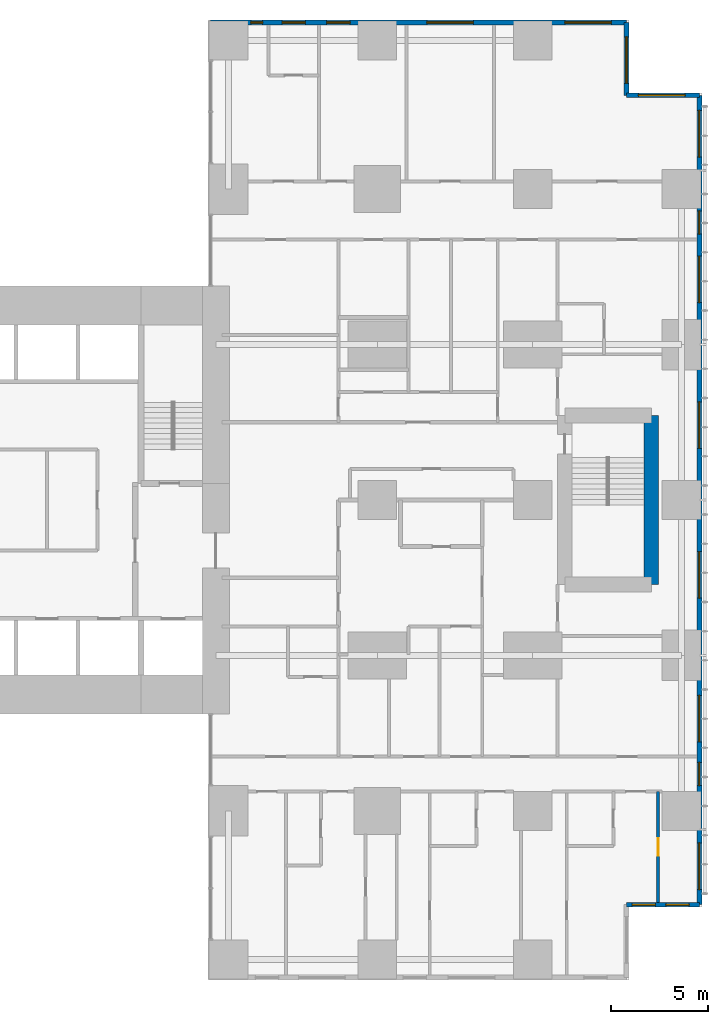
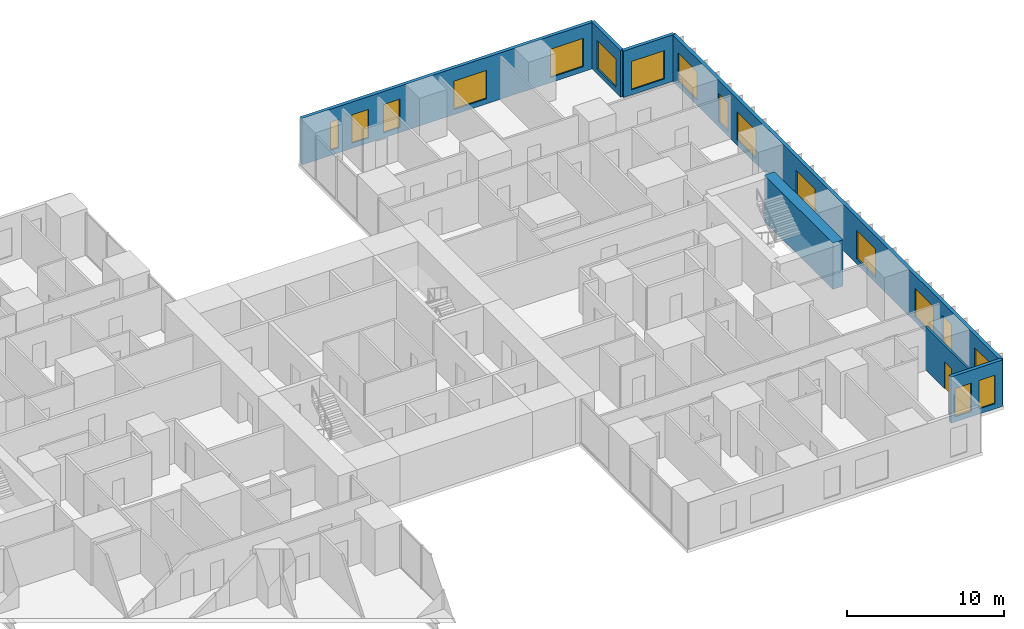
# One storey, part 19 of 21: 17 windows, 7 walls, 1 door, 18 openings.
"""IFC4 building model written with IfcOpenShell, lengths in metres."""

from ifc_helpers import new_model, si_unit, direction, frame, frame_2d, origin, place, context, subcontext, project, spatial, rectangle, extrude, material, layer, layer_set, type_object, element, fill, save


model = new_model("IFC4")

# Units and contexts
model_context = context("Model", 3, precision=1e-05, world=origin(), true_north=direction((0.0, 1.0)))
body_context = subcontext(model_context, "Body", "Model", "MODEL_VIEW")
ifc_project = project(units=[si_unit("LENGTHUNIT", "METRE"), si_unit("AREAUNIT", "SQUARE_METRE"), si_unit("VOLUMEUNIT", "CUBIC_METRE"), si_unit("PLANEANGLEUNIT", "RADIAN"), si_unit("MASSUNIT", "GRAM", prefix="KILO")], contexts=[model_context])

# Site, building, storey
site_placement = place(None, origin())
site = spatial("IfcSite", under=ifc_project, at=site_placement, CompositionType="ELEMENT")
building_placement = place(site_placement, origin())
building = spatial("IfcBuilding", under=site, at=building_placement, Name="Cleftline Residences", CompositionType="ELEMENT")
storey_placement = place(building_placement, frame((0.0, 0.0, 125.0)))
storey = spatial("IfcBuildingStorey", under=building, at=storey_placement, Name="L32", CompositionType="ELEMENT", Elevation=125.0)

# Wall, openings, windows
ifc_material_1 = material(Name="Rendered reinforced concrete blockwork", Category="masonry")
ifc_layer_1 = layer(ifc_material_1, 0.25)
ifc_layer_set_1 = layer_set([ifc_layer_1], Name="EXTERNAL WALL 250")
wall_type_1 = type_object("IfcWallType", Name="EXTERNAL WALL 250", PredefinedType="SOLIDWALL", material=ifc_layer_set_1)
wall_1_placement = place(storey_placement, frame((62.824951171875, 3.175048828125, 0.0), z_axis=(0.0, 0.0, 1.0), x_axis=(1.0, 0.0, 0.0)))
wall_1 = element("IfcWall", 1, at=wall_1_placement, inside=storey, type_object=wall_type_1, Name="External wall", PredefinedType="SOLIDWALL", context=body_context, shape_type="SweptSolid", body=[
    extrude(rectangle(XDim=3.75, YDim=0.25, at=frame_2d((1.875, 0.0))), origin(), (0.0, 0.0, 1.0), 3.60009765625),
])
opening_1_placement = place(wall_1_placement, frame((0.28759765625, 0.0, 0.39990234375)))
opening_1 = element("IfcOpeningElement", 2, at=opening_1_placement, cuts=wall_1, Name="Opening W11", PredefinedType="OPENING", context=body_context, shape_type="SweptSolid", body=[
    extrude(rectangle(XDim=1.199951171875, YDim=2.199951171875, at=frame_2d((0.60009765625, 1.10009765625))), frame((0.0, 0.135009765625, 0.0), z_axis=(0.0, -1.0, 0.0), x_axis=(1.0, 0.0, 0.0)), (0.0, 0.0, 1.0), 0.27001953125),
])
opening_2_placement = place(wall_1_placement, frame((2.02490234375, 0.0, 0.39990234375)))
opening_2 = element("IfcOpeningElement", 3, at=opening_2_placement, cuts=wall_1, Name="Opening W11", PredefinedType="OPENING", context=body_context, shape_type="SweptSolid", body=[
    extrude(rectangle(XDim=1.199951171875, YDim=2.199951171875, at=frame_2d((0.60009765625, 1.10009765625))), frame((0.0, 0.135009765625, 0.0), z_axis=(0.0, -1.0, 0.0), x_axis=(1.0, 0.0, 0.0)), (0.0, 0.0, 1.0), 0.27001953125),
])
ifc_material_2 = material(Name="Aluminium frame, clear double glazing", Category="aluminium")
window_type_1 = type_object("IfcWindowType", Name="WINDOW 1200X2200", PartitioningType="DOUBLE_PANEL_VERTICAL", PredefinedType="WINDOW", material=ifc_material_2)
window_1_placement = place(opening_1_placement, origin())
window_1 = element("IfcWindow", 4, at=window_1_placement, inside=storey, type_object=window_type_1, Name="Window", OverallHeight=2.199951171875, OverallWidth=1.199951171875, PartitioningType="SINGLE_PANEL", PredefinedType="WINDOW", context=body_context, shape_type="SweptSolid", body=[
    extrude(rectangle(XDim=1.199951171875, YDim=2.199951171875, at=frame_2d((0.60009765625, 1.10009765625))), frame((0.0, 0.030029296875, 0.0), z_axis=(0.0, -1.0, 0.0), x_axis=(1.0, 0.0, 0.0)), (0.0, 0.0, 1.0), 0.06005859375),
])
fill(opening_1, window_1)
window_2_placement = place(opening_2_placement, origin())
window_2 = element("IfcWindow", 5, at=window_2_placement, inside=storey, type_object=window_type_1, Name="Window", OverallHeight=2.199951171875, OverallWidth=1.199951171875, PartitioningType="SINGLE_PANEL", PredefinedType="WINDOW", context=body_context, shape_type="SweptSolid", body=[
    extrude(rectangle(XDim=1.199951171875, YDim=2.199951171875, at=frame_2d((0.60009765625, 1.10009765625))), frame((0.0, 0.030029296875, 0.0), z_axis=(0.0, -1.0, 0.0), x_axis=(1.0, 0.0, 0.0)), (0.0, 0.0, 1.0), 0.06005859375),
])
fill(opening_2, window_2)

wall_2_placement = place(storey_placement, frame((66.574951171875, 3.175048828125, 0.0), z_axis=(0.0, 0.0, 1.0), x_axis=(0.0, 1.0, 0.0)))
wall_2 = element("IfcWall", 6, at=wall_2_placement, inside=storey, type_object=wall_type_1, Name="External wall", PredefinedType="SOLIDWALL", context=body_context, shape_type="SweptSolid", body=[
    extrude(rectangle(XDim=41.64990234375, YDim=0.25, at=frame_2d((20.824951171875, 0.0))), origin(), (0.0, 0.0, 1.0), 3.60009765625),
])
opening_3_placement = place(wall_2_placement, frame((0.77490234375, 0.0, 0.39990234375)))
opening_3 = element("IfcOpeningElement", 7, at=opening_3_placement, cuts=wall_2, Name="Opening W12", PredefinedType="OPENING", context=body_context, shape_type="SweptSolid", body=[
    extrude(rectangle(XDim=2.39990234375, YDim=2.199951171875, at=frame_2d((1.199951171875, 1.10009765625))), frame((0.0, 0.135009765625, 0.0), z_axis=(0.0, -1.0, 0.0), x_axis=(1.0, 0.0, 0.0)), (0.0, 0.0, 1.0), 0.27001953125),
])
opening_4_placement = place(wall_2_placement, frame((6.125, 0.0, 0.39990234375)))
opening_4 = element("IfcOpeningElement", 8, at=opening_4_placement, cuts=wall_2, Name="Opening W11", PredefinedType="OPENING", context=body_context, shape_type="SweptSolid", body=[
    extrude(rectangle(XDim=1.199951171875, YDim=2.199951171875, at=frame_2d((0.60009765625, 1.10009765625))), frame((0.0, 0.135009765625, 0.0), z_axis=(0.0, -1.0, 0.0), x_axis=(1.0, 0.0, 0.0)), (0.0, 0.0, 1.0), 0.27001953125),
])
opening_5_placement = place(wall_2_placement, frame((8.375, 0.0, 0.39990234375)))
opening_5 = element("IfcOpeningElement", 9, at=opening_5_placement, cuts=wall_2, Name="Opening W12", PredefinedType="OPENING", context=body_context, shape_type="SweptSolid", body=[
    extrude(rectangle(XDim=2.39990234375, YDim=2.199951171875, at=frame_2d((1.199951171875, 1.10009765625))), frame((0.0, 0.135009765625, 0.0), z_axis=(0.0, -1.0, 0.0), x_axis=(1.0, 0.0, 0.0)), (0.0, 0.0, 1.0), 0.27001953125),
])
opening_6_placement = place(wall_2_placement, frame((15.77490234375, 0.0, 0.39990234375)))
opening_6 = element("IfcOpeningElement", 10, at=opening_6_placement, cuts=wall_2, Name="Opening W12", PredefinedType="OPENING", context=body_context, shape_type="SweptSolid", body=[
    extrude(rectangle(XDim=2.39990234375, YDim=2.199951171875, at=frame_2d((1.199951171875, 1.10009765625))), frame((0.0, 0.135009765625, 0.0), z_axis=(0.0, -1.0, 0.0), x_axis=(1.0, 0.0, 0.0)), (0.0, 0.0, 1.0), 0.27001953125),
])
opening_7_placement = place(wall_2_placement, frame((23.47509765625, 0.0, 0.39990234375)))
opening_7 = element("IfcOpeningElement", 11, at=opening_7_placement, cuts=wall_2, Name="Opening W12", PredefinedType="OPENING", context=body_context, shape_type="SweptSolid", body=[
    extrude(rectangle(XDim=2.39990234375, YDim=2.199951171875, at=frame_2d((1.199951171875, 1.10009765625))), frame((0.0, 0.135009765625, 0.0), z_axis=(0.0, -1.0, 0.0), x_axis=(1.0, 0.0, 0.0)), (0.0, 0.0, 1.0), 0.27001953125),
])
opening_8_placement = place(wall_2_placement, frame((30.97509765625, 0.0, 0.39990234375)))
opening_8 = element("IfcOpeningElement", 12, at=opening_8_placement, cuts=wall_2, Name="Opening W12", PredefinedType="OPENING", context=body_context, shape_type="SweptSolid", body=[
    extrude(rectangle(XDim=2.39990234375, YDim=2.199951171875, at=frame_2d((1.199951171875, 1.10009765625))), frame((0.0, 0.135009765625, 0.0), z_axis=(0.0, -1.0, 0.0), x_axis=(1.0, 0.0, 0.0)), (0.0, 0.0, 1.0), 0.27001953125),
])
opening_9_placement = place(wall_2_placement, frame((34.5, 0.0, 0.39990234375)))
opening_9 = element("IfcOpeningElement", 13, at=opening_9_placement, cuts=wall_2, Name="Opening W11", PredefinedType="OPENING", context=body_context, shape_type="SweptSolid", body=[
    extrude(rectangle(XDim=1.199951171875, YDim=2.199951171875, at=frame_2d((0.60009765625, 1.10009765625))), frame((0.0, 0.135009765625, 0.0), z_axis=(0.0, -1.0, 0.0), x_axis=(1.0, 0.0, 0.0)), (0.0, 0.0, 1.0), 0.27001953125),
])
opening_10_placement = place(wall_2_placement, frame((38.47509765625, 0.0, 0.39990234375)))
opening_10 = element("IfcOpeningElement", 14, at=opening_10_placement, cuts=wall_2, Name="Opening W12", PredefinedType="OPENING", context=body_context, shape_type="SweptSolid", body=[
    extrude(rectangle(XDim=2.39990234375, YDim=2.199951171875, at=frame_2d((1.199951171875, 1.10009765625))), frame((0.0, 0.135009765625, 0.0), z_axis=(0.0, -1.0, 0.0), x_axis=(1.0, 0.0, 0.0)), (0.0, 0.0, 1.0), 0.27001953125),
])
window_3_placement = place(opening_4_placement, origin())
window_3 = element("IfcWindow", 15, at=window_3_placement, inside=storey, type_object=window_type_1, Name="Window", OverallHeight=2.199951171875, OverallWidth=1.199951171875, PartitioningType="SINGLE_PANEL", PredefinedType="WINDOW", context=body_context, shape_type="SweptSolid", body=[
    extrude(rectangle(XDim=1.199951171875, YDim=2.199951171875, at=frame_2d((0.60009765625, 1.10009765625))), frame((0.0, 0.030029296875, 0.0), z_axis=(0.0, -1.0, 0.0), x_axis=(1.0, 0.0, 0.0)), (0.0, 0.0, 1.0), 0.06005859375),
])
fill(opening_4, window_3)
window_4_placement = place(opening_9_placement, origin())
window_4 = element("IfcWindow", 16, at=window_4_placement, inside=storey, type_object=window_type_1, Name="Window", OverallHeight=2.199951171875, OverallWidth=1.199951171875, PartitioningType="SINGLE_PANEL", PredefinedType="WINDOW", context=body_context, shape_type="SweptSolid", body=[
    extrude(rectangle(XDim=1.199951171875, YDim=2.199951171875, at=frame_2d((0.60009765625, 1.10009765625))), frame((0.0, 0.030029296875, 0.0), z_axis=(0.0, -1.0, 0.0), x_axis=(1.0, 0.0, 0.0)), (0.0, 0.0, 1.0), 0.06005859375),
])
fill(opening_9, window_4)
ifc_material_3 = material(Name="Aluminium frame, clear double glazing", Category="aluminium")
window_type_2 = type_object("IfcWindowType", Name="WINDOW 2400X2200", PartitioningType="DOUBLE_PANEL_VERTICAL", PredefinedType="WINDOW", material=ifc_material_3)
window_5_placement = place(opening_3_placement, origin())
window_5 = element("IfcWindow", 17, at=window_5_placement, inside=storey, type_object=window_type_2, Name="Window", OverallHeight=2.199951171875, OverallWidth=2.39990234375, PartitioningType="SINGLE_PANEL", PredefinedType="WINDOW", context=body_context, shape_type="SweptSolid", body=[
    extrude(rectangle(XDim=2.39990234375, YDim=2.199951171875, at=frame_2d((1.199951171875, 1.10009765625))), frame((0.0, 0.030029296875, 0.0), z_axis=(0.0, -1.0, 0.0), x_axis=(1.0, 0.0, 0.0)), (0.0, 0.0, 1.0), 0.06005859375),
])
fill(opening_3, window_5)
window_6_placement = place(opening_5_placement, origin())
window_6 = element("IfcWindow", 18, at=window_6_placement, inside=storey, type_object=window_type_2, Name="Window", OverallHeight=2.199951171875, OverallWidth=2.39990234375, PartitioningType="SINGLE_PANEL", PredefinedType="WINDOW", context=body_context, shape_type="SweptSolid", body=[
    extrude(rectangle(XDim=2.39990234375, YDim=2.199951171875, at=frame_2d((1.199951171875, 1.10009765625))), frame((0.0, 0.030029296875, 0.0), z_axis=(0.0, -1.0, 0.0), x_axis=(1.0, 0.0, 0.0)), (0.0, 0.0, 1.0), 0.06005859375),
])
fill(opening_5, window_6)
window_7_placement = place(opening_6_placement, origin())
window_7 = element("IfcWindow", 19, at=window_7_placement, inside=storey, type_object=window_type_2, Name="Window", OverallHeight=2.199951171875, OverallWidth=2.39990234375, PartitioningType="SINGLE_PANEL", PredefinedType="WINDOW", context=body_context, shape_type="SweptSolid", body=[
    extrude(rectangle(XDim=2.39990234375, YDim=2.199951171875, at=frame_2d((1.199951171875, 1.10009765625))), frame((0.0, 0.030029296875, 0.0), z_axis=(0.0, -1.0, 0.0), x_axis=(1.0, 0.0, 0.0)), (0.0, 0.0, 1.0), 0.06005859375),
])
fill(opening_6, window_7)
window_8_placement = place(opening_7_placement, origin())
window_8 = element("IfcWindow", 20, at=window_8_placement, inside=storey, type_object=window_type_2, Name="Window", OverallHeight=2.199951171875, OverallWidth=2.39990234375, PartitioningType="SINGLE_PANEL", PredefinedType="WINDOW", context=body_context, shape_type="SweptSolid", body=[
    extrude(rectangle(XDim=2.39990234375, YDim=2.199951171875, at=frame_2d((1.199951171875, 1.10009765625))), frame((0.0, 0.030029296875, 0.0), z_axis=(0.0, -1.0, 0.0), x_axis=(1.0, 0.0, 0.0)), (0.0, 0.0, 1.0), 0.06005859375),
])
fill(opening_7, window_8)
window_9_placement = place(opening_8_placement, origin())
window_9 = element("IfcWindow", 21, at=window_9_placement, inside=storey, type_object=window_type_2, Name="Window", OverallHeight=2.199951171875, OverallWidth=2.39990234375, PartitioningType="SINGLE_PANEL", PredefinedType="WINDOW", context=body_context, shape_type="SweptSolid", body=[
    extrude(rectangle(XDim=2.39990234375, YDim=2.199951171875, at=frame_2d((1.199951171875, 1.10009765625))), frame((0.0, 0.030029296875, 0.0), z_axis=(0.0, -1.0, 0.0), x_axis=(1.0, 0.0, 0.0)), (0.0, 0.0, 1.0), 0.06005859375),
])
fill(opening_8, window_9)
window_10_placement = place(opening_10_placement, origin())
window_10 = element("IfcWindow", 22, at=window_10_placement, inside=storey, type_object=window_type_2, Name="Window", OverallHeight=2.199951171875, OverallWidth=2.39990234375, PartitioningType="SINGLE_PANEL", PredefinedType="WINDOW", context=body_context, shape_type="SweptSolid", body=[
    extrude(rectangle(XDim=2.39990234375, YDim=2.199951171875, at=frame_2d((1.199951171875, 1.10009765625))), frame((0.0, 0.030029296875, 0.0), z_axis=(0.0, -1.0, 0.0), x_axis=(1.0, 0.0, 0.0)), (0.0, 0.0, 1.0), 0.06005859375),
])
fill(opening_10, window_10)

# Wall, opening, window
wall_3_placement = place(storey_placement, frame((66.574951171875, 44.824951171875, 0.0), z_axis=(0.0, 0.0, 1.0), x_axis=(-1.0, 0.0, 0.0)))
wall_3 = element("IfcWall", 23, at=wall_3_placement, inside=storey, type_object=wall_type_1, Name="External wall", PredefinedType="SOLIDWALL", context=body_context, shape_type="SweptSolid", body=[
    extrude(rectangle(XDim=3.75, YDim=0.25, at=frame_2d((1.875, 0.0))), origin(), (0.0, 0.0, 1.0), 3.60009765625),
])
opening_11_placement = place(wall_3_placement, frame((0.737548828125, 0.0, 0.39990234375)))
opening_11 = element("IfcOpeningElement", 24, at=opening_11_placement, cuts=wall_3, Name="Opening W12", PredefinedType="OPENING", context=body_context, shape_type="SweptSolid", body=[
    extrude(rectangle(XDim=2.39990234375, YDim=2.199951171875, at=frame_2d((1.199951171875, 1.10009765625))), frame((0.0, 0.135009765625, 0.0), z_axis=(0.0, -1.0, 0.0), x_axis=(1.0, 0.0, 0.0)), (0.0, 0.0, 1.0), 0.27001953125),
])
window_11_placement = place(opening_11_placement, origin())
window_11 = element("IfcWindow", 25, at=window_11_placement, inside=storey, type_object=window_type_2, Name="Window", OverallHeight=2.199951171875, OverallWidth=2.39990234375, PartitioningType="SINGLE_PANEL", PredefinedType="WINDOW", context=body_context, shape_type="SweptSolid", body=[
    extrude(rectangle(XDim=2.39990234375, YDim=2.199951171875, at=frame_2d((1.199951171875, 1.10009765625))), frame((0.0, 0.030029296875, 0.0), z_axis=(0.0, -1.0, 0.0), x_axis=(1.0, 0.0, 0.0)), (0.0, 0.0, 1.0), 0.06005859375),
])
fill(opening_11, window_11)

wall_4_placement = place(storey_placement, frame((62.824951171875, 44.824951171875, 0.0), z_axis=(0.0, 0.0, 1.0), x_axis=(0.0, 1.0, 0.0)))
wall_4 = element("IfcWall", 26, at=wall_4_placement, inside=storey, type_object=wall_type_1, Name="External wall", PredefinedType="SOLIDWALL", context=body_context, shape_type="SweptSolid", body=[
    extrude(rectangle(XDim=3.75, YDim=0.25, at=frame_2d((1.875, 0.0))), origin(), (0.0, 0.0, 1.0), 3.60009765625),
])
opening_12_placement = place(wall_4_placement, frame((0.612548828125, 0.0, 0.39990234375)))
opening_12 = element("IfcOpeningElement", 27, at=opening_12_placement, cuts=wall_4, Name="Opening W12", PredefinedType="OPENING", context=body_context, shape_type="SweptSolid", body=[
    extrude(rectangle(XDim=2.39990234375, YDim=2.199951171875, at=frame_2d((1.199951171875, 1.10009765625))), frame((0.0, 0.135009765625, 0.0), z_axis=(0.0, -1.0, 0.0), x_axis=(1.0, 0.0, 0.0)), (0.0, 0.0, 1.0), 0.27001953125),
])
window_12_placement = place(opening_12_placement, origin())
window_12 = element("IfcWindow", 28, at=window_12_placement, inside=storey, type_object=window_type_2, Name="Window", OverallHeight=2.199951171875, OverallWidth=2.39990234375, PartitioningType="SINGLE_PANEL", PredefinedType="WINDOW", context=body_context, shape_type="SweptSolid", body=[
    extrude(rectangle(XDim=2.39990234375, YDim=2.199951171875, at=frame_2d((1.199951171875, 1.10009765625))), frame((0.0, 0.030029296875, 0.0), z_axis=(0.0, -1.0, 0.0), x_axis=(1.0, 0.0, 0.0)), (0.0, 0.0, 1.0), 0.06005859375),
])
fill(opening_12, window_12)

# Wall, openings, windows
wall_5_placement = place(storey_placement, frame((62.824951171875, 48.574951171875, 0.0), z_axis=(0.0, 0.0, 1.0), x_axis=(-1.0, 0.0, 0.0)))
wall_5 = element("IfcWall", 29, at=wall_5_placement, inside=storey, type_object=wall_type_1, Name="External wall", PredefinedType="SOLIDWALL", context=body_context, shape_type="SweptSolid", body=[
    extrude(rectangle(XDim=21.39990234375, YDim=0.25, at=frame_2d((10.699951171875, 0.0))), origin(), (0.0, 0.0, 1.0), 3.60009765625),
])
opening_13_placement = place(wall_5_placement, frame((0.77490234375, 0.0, 0.39990234375)))
opening_13 = element("IfcOpeningElement", 30, at=opening_13_placement, cuts=wall_5, Name="Opening W12", PredefinedType="OPENING", context=body_context, shape_type="SweptSolid", body=[
    extrude(rectangle(XDim=2.39990234375, YDim=2.199951171875, at=frame_2d((1.199951171875, 1.10009765625))), frame((0.0, 0.135009765625, 0.0), z_axis=(0.0, -1.0, 0.0), x_axis=(1.0, 0.0, 0.0)), (0.0, 0.0, 1.0), 0.27001953125),
])
opening_14_placement = place(wall_5_placement, frame((7.875, 0.0, 0.39990234375)))
opening_14 = element("IfcOpeningElement", 31, at=opening_14_placement, cuts=wall_5, Name="Opening W12", PredefinedType="OPENING", context=body_context, shape_type="SweptSolid", body=[
    extrude(rectangle(XDim=2.39990234375, YDim=2.199951171875, at=frame_2d((1.199951171875, 1.10009765625))), frame((0.0, 0.135009765625, 0.0), z_axis=(0.0, -1.0, 0.0), x_axis=(1.0, 0.0, 0.0)), (0.0, 0.0, 1.0), 0.27001953125),
])
opening_15_placement = place(wall_5_placement, frame((14.22509765625, 0.0, 0.39990234375)))
opening_15 = element("IfcOpeningElement", 32, at=opening_15_placement, cuts=wall_5, Name="Opening W11", PredefinedType="OPENING", context=body_context, shape_type="SweptSolid", body=[
    extrude(rectangle(XDim=1.199951171875, YDim=2.199951171875, at=frame_2d((0.60009765625, 1.10009765625))), frame((0.0, 0.135009765625, 0.0), z_axis=(0.0, -1.0, 0.0), x_axis=(1.0, 0.0, 0.0)), (0.0, 0.0, 1.0), 0.27001953125),
])
opening_16_placement = place(wall_5_placement, frame((16.52490234375, 0.0, 0.39990234375)))
opening_16 = element("IfcOpeningElement", 33, at=opening_16_placement, cuts=wall_5, Name="Opening W11", PredefinedType="OPENING", context=body_context, shape_type="SweptSolid", body=[
    extrude(rectangle(XDim=1.199951171875, YDim=2.199951171875, at=frame_2d((0.60009765625, 1.10009765625))), frame((0.0, 0.135009765625, 0.0), z_axis=(0.0, -1.0, 0.0), x_axis=(1.0, 0.0, 0.0)), (0.0, 0.0, 1.0), 0.27001953125),
])
opening_17_placement = place(wall_5_placement, frame((18.72509765625, 0.0, 0.39990234375)))
opening_17 = element("IfcOpeningElement", 34, at=opening_17_placement, cuts=wall_5, Name="Opening W10", PredefinedType="OPENING", context=body_context, shape_type="SweptSolid", body=[
    extrude(rectangle(XDim=0.60009765625, YDim=2.199951171875, at=frame_2d((0.300048828125, 1.10009765625))), frame((0.0, 0.135009765625, 0.0), z_axis=(0.0, -1.0, 0.0), x_axis=(1.0, 0.0, 0.0)), (0.0, 0.0, 1.0), 0.27001953125),
])
window_13_placement = place(opening_15_placement, origin())
window_13 = element("IfcWindow", 35, at=window_13_placement, inside=storey, type_object=window_type_1, Name="Window", OverallHeight=2.199951171875, OverallWidth=1.199951171875, PartitioningType="SINGLE_PANEL", PredefinedType="WINDOW", context=body_context, shape_type="SweptSolid", body=[
    extrude(rectangle(XDim=1.199951171875, YDim=2.199951171875, at=frame_2d((0.60009765625, 1.10009765625))), frame((0.0, 0.030029296875, 0.0), z_axis=(0.0, -1.0, 0.0), x_axis=(1.0, 0.0, 0.0)), (0.0, 0.0, 1.0), 0.06005859375),
])
fill(opening_15, window_13)
window_14_placement = place(opening_16_placement, origin())
window_14 = element("IfcWindow", 36, at=window_14_placement, inside=storey, type_object=window_type_1, Name="Window", OverallHeight=2.199951171875, OverallWidth=1.199951171875, PartitioningType="SINGLE_PANEL", PredefinedType="WINDOW", context=body_context, shape_type="SweptSolid", body=[
    extrude(rectangle(XDim=1.199951171875, YDim=2.199951171875, at=frame_2d((0.60009765625, 1.10009765625))), frame((0.0, 0.030029296875, 0.0), z_axis=(0.0, -1.0, 0.0), x_axis=(1.0, 0.0, 0.0)), (0.0, 0.0, 1.0), 0.06005859375),
])
fill(opening_16, window_14)
window_15_placement = place(opening_13_placement, origin())
window_15 = element("IfcWindow", 37, at=window_15_placement, inside=storey, type_object=window_type_2, Name="Window", OverallHeight=2.199951171875, OverallWidth=2.39990234375, PartitioningType="SINGLE_PANEL", PredefinedType="WINDOW", context=body_context, shape_type="SweptSolid", body=[
    extrude(rectangle(XDim=2.39990234375, YDim=2.199951171875, at=frame_2d((1.199951171875, 1.10009765625))), frame((0.0, 0.030029296875, 0.0), z_axis=(0.0, -1.0, 0.0), x_axis=(1.0, 0.0, 0.0)), (0.0, 0.0, 1.0), 0.06005859375),
])
fill(opening_13, window_15)
window_16_placement = place(opening_14_placement, origin())
window_16 = element("IfcWindow", 38, at=window_16_placement, inside=storey, type_object=window_type_2, Name="Window", OverallHeight=2.199951171875, OverallWidth=2.39990234375, PartitioningType="SINGLE_PANEL", PredefinedType="WINDOW", context=body_context, shape_type="SweptSolid", body=[
    extrude(rectangle(XDim=2.39990234375, YDim=2.199951171875, at=frame_2d((1.199951171875, 1.10009765625))), frame((0.0, 0.030029296875, 0.0), z_axis=(0.0, -1.0, 0.0), x_axis=(1.0, 0.0, 0.0)), (0.0, 0.0, 1.0), 0.06005859375),
])
fill(opening_14, window_16)
ifc_material_4 = material(Name="Aluminium frame, clear double glazing", Category="aluminium")
window_type_3 = type_object("IfcWindowType", Name="WINDOW 600X2200", PartitioningType="DOUBLE_PANEL_VERTICAL", PredefinedType="WINDOW", material=ifc_material_4)
window_17_placement = place(opening_17_placement, origin())
window_17 = element("IfcWindow", 39, at=window_17_placement, inside=storey, type_object=window_type_3, Name="Window", OverallHeight=2.199951171875, OverallWidth=0.60009765625, PartitioningType="SINGLE_PANEL", PredefinedType="WINDOW", context=body_context, shape_type="SweptSolid", body=[
    extrude(rectangle(XDim=0.60009765625, YDim=2.199951171875, at=frame_2d((0.300048828125, 1.10009765625))), frame((0.0, 0.030029296875, 0.0), z_axis=(0.0, -1.0, 0.0), x_axis=(1.0, 0.0, 0.0)), (0.0, 0.0, 1.0), 0.06005859375),
])
fill(opening_17, window_17)

# Wall, opening, door
ifc_material_5 = material(Name="Gypsum board on steel studs", Category="steel")
ifc_layer_2 = layer(ifc_material_5, 0.14990234375)
ifc_layer_set_2 = layer_set([ifc_layer_2], Name="PARTITION 150")
wall_type_2 = type_object("IfcWallType", Name="PARTITION 150", PredefinedType="PARTITIONING", material=ifc_layer_set_2)
wall_6_placement = place(storey_placement, frame((64.449951171875, 3.300048828125, 0.0), z_axis=(0.0, 0.0, 1.0), x_axis=(0.0, 1.0, 0.0)))
wall_6 = element("IfcWall", 40, at=wall_6_placement, inside=storey, type_object=wall_type_2, Name="Partition", PredefinedType="PARTITIONING", context=body_context, shape_type="SweptSolid", body=[
    extrude(rectangle(XDim=5.699951171875, YDim=0.14990234375, at=frame_2d((2.85009765625, 0.0))), origin(), (0.0, 0.0, 1.0), 3.35009765625),
])
opening_18_placement = place(wall_6_placement, frame((2.39990234375, 0.0, 0.0)))
opening_18 = element("IfcOpeningElement", 41, at=opening_18_placement, cuts=wall_6, Name="Opening D1", PredefinedType="OPENING", context=body_context, shape_type="SweptSolid", body=[
    extrude(rectangle(XDim=0.89990234375, YDim=2.10009765625, at=frame_2d((0.449951171875, 1.050048828125))), frame((0.0, 0.0849609375, 0.0), z_axis=(0.0, -1.0, 0.0), x_axis=(1.0, 0.0, 0.0)), (0.0, 0.0, 1.0), 0.169921875),
])
ifc_material_6 = material(Name="Timber veneer on solid core", Category="wood")
door_type = type_object("IfcDoorType", Name="DOOR 900X2100", OperationType="SINGLE_SWING_LEFT", PredefinedType="DOOR", material=ifc_material_6)
door_placement = place(opening_18_placement, origin())
door = element("IfcDoor", 42, at=door_placement, inside=storey, type_object=door_type, Name="Door to walk-in wardrobe", OperationType="SINGLE_SWING_LEFT", OverallHeight=2.10009765625, OverallWidth=0.89990234375, PredefinedType="DOOR", context=body_context, shape_type="SweptSolid", body=[
    extrude(rectangle(XDim=0.89990234375, YDim=2.10009765625, at=frame_2d((0.449951171875, 1.050048828125))), frame((0.0, 0.02490234375, 0.0), z_axis=(0.0, -1.0, 0.0), x_axis=(1.0, 0.0, 0.0)), (0.0, 0.0, 1.0), 0.050048828125),
])
fill(opening_18, door)

# Wall
ifc_material_7 = material(Name="Concrete B70", Category="concrete")
ifc_layer_3 = layer(ifc_material_7, 0.75)
ifc_layer_set_3 = layer_set([ifc_layer_3], Name="SHEAR WALL 750")
wall_type_3 = type_object("IfcWallType", Name="SHEAR WALL 750", PredefinedType="SHEAR", material=ifc_layer_set_3)
wall_7_placement = place(storey_placement, frame((64.10009765625, 19.64990234375, 0.0), z_axis=(0.0, 0.0, 1.0), x_axis=(0.0, 1.0, 0.0)))
element("IfcWall", 43, at=wall_7_placement, inside=storey, type_object=wall_type_3, Name="Wing shear wall", PredefinedType="SHEAR", context=body_context, shape_type="SweptSolid", body=[
    extrude(rectangle(XDim=8.7001953125, YDim=0.75, at=frame_2d((4.35009765625, 0.0))), origin(), (0.0, 0.0, 1.0), 3.60009765625),
])

save(model, "model.ifc")
